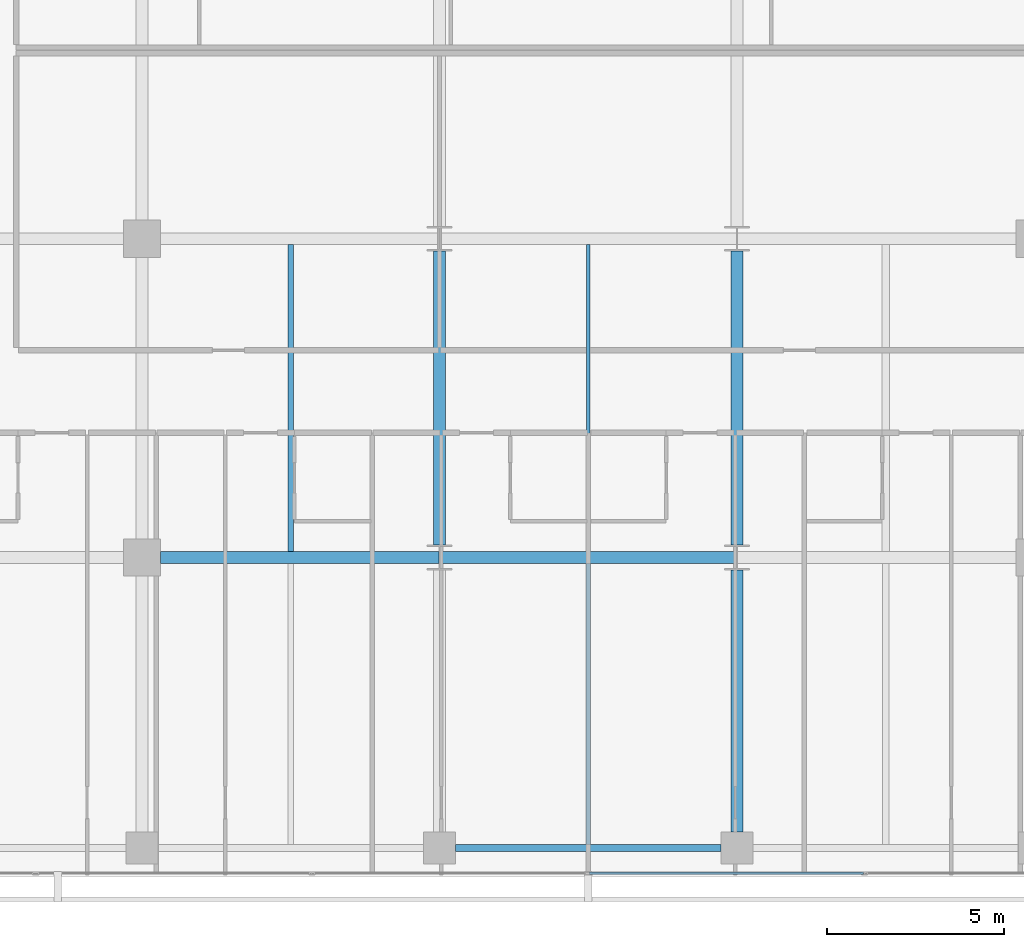
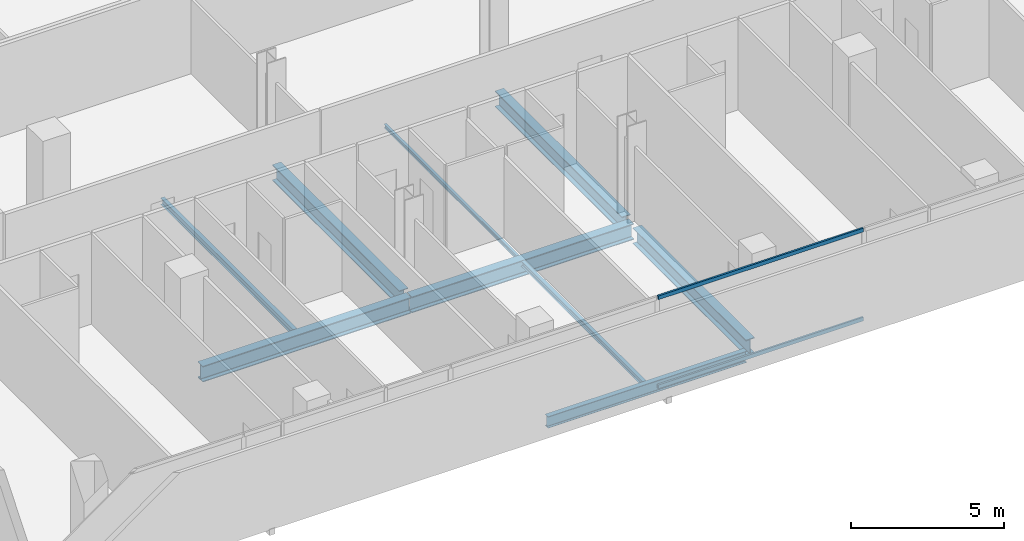
# One storey, part 9 of 40: 9 beams, 2 members, 1 element without a shape of its own.
"""IFC4 building model written with IfcOpenShell, lengths in metres."""

from ifc_helpers import new_model, si_unit, direction, frame, origin, origin_2d, place, context, subcontext, project, spatial, hollow_rectangle, i_section, extrude, material, layer, layer_set, material_profile, profile_set, type_object, element, aggregate, save


model = new_model("IFC4")

# Units and contexts
model_context = context("Model", 3, precision=1e-05, world=origin(), true_north=direction((0.0, 1.0)))
body_context = subcontext(model_context, "Body", "Model", "MODEL_VIEW")
ifc_project = project(units=[si_unit("LENGTHUNIT", "METRE"), si_unit("AREAUNIT", "SQUARE_METRE"), si_unit("VOLUMEUNIT", "CUBIC_METRE"), si_unit("PLANEANGLEUNIT", "RADIAN"), si_unit("MASSUNIT", "GRAM", prefix="KILO")], contexts=[model_context])

# Site, building, storey
site_placement = place(None, origin())
site = spatial("IfcSite", under=ifc_project, at=site_placement, CompositionType="ELEMENT")
building_placement = place(site_placement, origin())
building = spatial("IfcBuilding", under=site, at=building_placement, Name="Maruvema Waterfront Hotel and Observation Tower", CompositionType="ELEMENT")
storey_placement = place(building_placement, frame((0.0, 0.0, 30.800048828125)))
storey = spatial("IfcBuildingStorey", under=building, at=storey_placement, Name="L06", CompositionType="ELEMENT", Elevation=30.800048828125)

# Curtain wall, members
ifc_material_1 = material(Name="Anodised bronze aluminium and solar-control low-E IGU", Category="aluminium")
ifc_layer = layer(ifc_material_1, 0.159912109375, Name="Zone 1 Bronze Inner Thermal Curtain Wall System CW-02")
ifc_layer_set = layer_set([ifc_layer], Name="Anodised bronze aluminium and solar-control low-E IGU")
curtain_wall_type = type_object("IfcCurtainWallType", Name="Zone 1 Bronze Inner Thermal Curtain Wall System CW-02", PredefinedType="USERDEFINED", material=ifc_layer_set)
curtain_wall_placement = place(storey_placement, origin())
curtain_wall = element("IfcCurtainWall", 1, at=curtain_wall_placement, inside=storey, type_object=curtain_wall_type, Name="L06 Curtain Wall CW-L06-S", ObjectType="UNITISED CURTAIN WALL", PredefinedType="USERDEFINED")
ifc_material_2 = material(Name="Anodised architectural bronze aluminium", Category="aluminium")
ifc_material_profile_1 = material_profile(ifc_material_2, hollow_rectangle(XDim=0.070068359375, YDim=0.14990234375, WallThickness=0.00390625, at=origin_2d()), Name="ALU-T70x150")
ifc_profile_set_1 = profile_set([ifc_material_profile_1], Name="Anodised architectural bronze aluminium")
member_type = type_object("IfcMemberType", Name="Curtain Wall Horizontal Transom ALU-T70x150", PredefinedType="USERDEFINED", material=ifc_profile_set_1)
member_1_placement = place(storey_placement, frame((37.830078125, 0.080078125, 0.030029296875), z_axis=(1.0, 0.0, 0.0), x_axis=(0.0, 1.0, 0.0)))
member_1 = element("IfcMember", 2, at=member_1_placement, type_object=member_type, Name="CW-02 transom 4.1", ObjectType="TRANSOM", PredefinedType="USERDEFINED", context=body_context, shape_type="SweptSolid", body=[
    extrude(hollow_rectangle(XDim=0.070068359375, YDim=0.14990234375, WallThickness=0.00390625, at=origin_2d()), origin(), (0.0, 0.0, 1.0), 7.739990234375),
])
member_2_placement = place(storey_placement, frame((37.830078125, 0.080078125, 3.579833984375), z_axis=(1.0, 0.0, 0.0), x_axis=(0.0, 1.0, 0.0)))
member_2 = element("IfcMember", 3, at=member_2_placement, type_object=member_type, Name="CW-02 transom 4.2", ObjectType="TRANSOM", PredefinedType="USERDEFINED", context=body_context, shape_type="SweptSolid", body=[
    extrude(hollow_rectangle(XDim=0.070068359375, YDim=0.14990234375, WallThickness=0.00390625, at=origin_2d()), origin(), (0.0, 0.0, 1.0), 7.739990234375),
])
aggregate(curtain_wall, [member_1, member_2])

# Beams
ifc_material_3 = material(Name="Steel ASTM A572 Grade 50", Category="steel")
ifc_material_profile_2 = material_profile(ifc_material_3, i_section(OverallWidth=0.18994140625, OverallDepth=0.45703125, WebThickness=0.009033203125, FlangeThickness=0.014404296875, FilletRadius=0.014892578125, at=origin_2d()), Name="W460x74.0")
ifc_profile_set_2 = profile_set([ifc_material_profile_2], Name="Steel ASTM A572 Grade 50")
beam_type_1 = type_object("IfcBeamType", Name="Perimeter Spandrel Beam W460x74.0", PredefinedType="SPANDREL", material=ifc_profile_set_2)
beam_1_placement = place(storey_placement, frame((34.050048828125, 0.800048828125, -0.468505859375), z_axis=(1.0, 0.0, 0.0), x_axis=(0.0, 1.0, 0.0)))
element("IfcBeam", 4, at=beam_1_placement, inside=storey, type_object=beam_type_1, Name="L06 Floor Girder EW-03", PredefinedType="SPANDREL", context=body_context, shape_type="SweptSolid", body=[
    extrude(i_section(OverallWidth=0.18994140625, OverallDepth=0.45703125, WebThickness=0.009033203125, FlangeThickness=0.014404296875, FilletRadius=0.014892578125, at=origin_2d()), origin(), (0.0, 0.0, 1.0), 7.5),
])
ifc_material_4 = material(Name="Steel ASTM A572 Grade 50", Category="steel")
ifc_material_profile_3 = material_profile(ifc_material_4, i_section(OverallWidth=0.3291015625, OverallDepth=0.635009765625, WebThickness=0.017822265625, FlangeThickness=0.031005859375, FilletRadius=0.01806640625, at=origin_2d()), Name="W610x241.0")
ifc_profile_set_3 = profile_set([ifc_material_profile_3], Name="Steel ASTM A572 Grade 50")
beam_type_2 = type_object("IfcBeamType", Name="Primary Floor Girder W610x241.0", PredefinedType="BEAM", material=ifc_profile_set_3)
beam_2_placement = place(storey_placement, frame((25.72509765625, 9.0, -0.5576171875), z_axis=(1.0, 0.0, 0.0), x_axis=(0.0, 1.0, 0.0)))
element("IfcBeam", 5, at=beam_2_placement, inside=storey, type_object=beam_type_2, Name="L06 Floor Girder EW-08", PredefinedType="BEAM", context=body_context, shape_type="SweptSolid", body=[
    extrude(i_section(OverallWidth=0.3291015625, OverallDepth=0.635009765625, WebThickness=0.017822265625, FlangeThickness=0.031005859375, FilletRadius=0.01806640625, at=origin_2d()), origin(), (0.0, 0.0, 1.0), 7.86083984375),
])
beam_3_placement = place(storey_placement, frame((33.614013671875, 9.0, -0.5576171875), z_axis=(1.0, 0.0, 0.0), x_axis=(0.0, 1.0, 0.0)))
element("IfcBeam", 6, at=beam_3_placement, inside=storey, type_object=beam_type_2, Name="L06 Floor Girder EW-09", PredefinedType="BEAM", context=body_context, shape_type="SweptSolid", body=[
    extrude(i_section(OverallWidth=0.3291015625, OverallDepth=0.635009765625, WebThickness=0.017822265625, FlangeThickness=0.031005859375, FilletRadius=0.01806640625, at=origin_2d()), origin(), (0.0, 0.0, 1.0), 8.3720703125),
])
beam_4_placement = place(storey_placement, frame((33.60009765625, 9.35009765625, -0.5576171875), z_axis=(0.0, 1.0, 0.0), x_axis=(-1.0, 0.0, 0.0)))
element("IfcBeam", 7, at=beam_4_placement, inside=storey, type_object=beam_type_2, Name="L06 Floor Girder NS-17", PredefinedType="BEAM", context=body_context, shape_type="SweptSolid", body=[
    extrude(i_section(OverallWidth=0.3291015625, OverallDepth=0.635009765625, WebThickness=0.017822265625, FlangeThickness=0.031005859375, FilletRadius=0.01806640625, at=origin_2d()), origin(), (0.0, 0.0, 1.0), 8.2998046875),
])
beam_5_placement = place(storey_placement, frame((42.0, 1.25, -0.5576171875), z_axis=(0.0, 1.0, 0.0), x_axis=(-1.0, 0.0, 0.0)))
element("IfcBeam", 8, at=beam_5_placement, inside=storey, type_object=beam_type_2, Name="L06 Floor Girder NS-19", PredefinedType="BEAM", context=body_context, shape_type="SweptSolid", body=[
    extrude(i_section(OverallWidth=0.3291015625, OverallDepth=0.635009765625, WebThickness=0.017822265625, FlangeThickness=0.031005859375, FilletRadius=0.01806640625, at=origin_2d()), origin(), (0.0, 0.0, 1.0), 7.39990234375),
])
beam_6_placement = place(storey_placement, frame((42.0, 9.35009765625, -0.5576171875), z_axis=(0.0, 1.0, 0.0), x_axis=(-1.0, 0.0, 0.0)))
element("IfcBeam", 9, at=beam_6_placement, inside=storey, type_object=beam_type_2, Name="L06 Floor Girder NS-20", PredefinedType="BEAM", context=body_context, shape_type="SweptSolid", body=[
    extrude(i_section(OverallWidth=0.3291015625, OverallDepth=0.635009765625, WebThickness=0.017822265625, FlangeThickness=0.031005859375, FilletRadius=0.01806640625, at=origin_2d()), origin(), (0.0, 0.0, 1.0), 8.2998046875),
])
ifc_material_5 = material(Name="Steel ASTM A572 Grade 50", Category="steel")
ifc_material_profile_4 = material_profile(ifc_material_5, i_section(OverallWidth=0.10009765625, OverallDepth=0.153076171875, WebThickness=0.005859375, FlangeThickness=0.007080078125, FilletRadius=0.008056640625, at=origin_2d()), Name="W150x18.0")
ifc_profile_set_4 = profile_set([ifc_material_profile_4], Name="Steel ASTM A572 Grade 50")
beam_type_3 = type_object("IfcBeamType", Name="Secondary Floor Joist W150x18.0", PredefinedType="JOIST", material=ifc_profile_set_4)
beam_7_placement = place(storey_placement, frame((37.800048828125, 9.16455078125, -0.316650390625), z_axis=(0.0, 1.0, 0.0), x_axis=(-1.0, 0.0, 0.0)))
element("IfcBeam", 10, at=beam_7_placement, inside=storey, type_object=beam_type_3, Name="L06 Secondary Floor Joist JS-13", PredefinedType="JOIST", context=body_context, shape_type="SweptSolid", body=[
    extrude(i_section(OverallWidth=0.10009765625, OverallDepth=0.153076171875, WebThickness=0.005859375, FlangeThickness=0.007080078125, FilletRadius=0.008056640625, at=origin_2d()), origin(), (0.0, 0.0, 1.0), 8.6708984375),
])
ifc_material_6 = material(Name="Steel ASTM A572 Grade 50", Category="steel")
ifc_material_profile_5 = material_profile(ifc_material_6, i_section(OverallWidth=0.133056640625, OverallDepth=0.20703125, WebThickness=0.005859375, FlangeThickness=0.00830078125, FilletRadius=0.010009765625, at=origin_2d()), Name="W200x26.6")
ifc_profile_set_5 = profile_set([ifc_material_profile_5], Name="Steel ASTM A572 Grade 50")
beam_type_4 = type_object("IfcBeamType", Name="Secondary Floor Joist W200x26.6", PredefinedType="JOIST", material=ifc_profile_set_5)
beam_8_placement = place(storey_placement, frame((37.800048828125, 0.89501953125, -0.343505859375), z_axis=(0.0, 1.0, 0.0), x_axis=(-1.0, 0.0, 0.0)))
element("IfcBeam", 11, at=beam_8_placement, inside=storey, type_object=beam_type_4, Name="L06 Secondary Floor Joist JS-12", PredefinedType="JOIST", context=body_context, shape_type="SweptSolid", body=[
    extrude(i_section(OverallWidth=0.133056640625, OverallDepth=0.20703125, WebThickness=0.005859375, FlangeThickness=0.00830078125, FilletRadius=0.010009765625, at=origin_2d()), origin(), (0.0, 0.0, 1.0), 7.9404296875),
])
ifc_material_7 = material(Name="Steel ASTM A572 Grade 50", Category="steel")
ifc_material_profile_6 = material_profile(ifc_material_7, i_section(OverallWidth=0.14599609375, OverallDepth=0.258056640625, WebThickness=0.006103515625, FlangeThickness=0.009033203125, FilletRadius=0.012939453125, at=origin_2d()), Name="W250x32.7")
ifc_profile_set_6 = profile_set([ifc_material_profile_6], Name="Steel ASTM A572 Grade 50")
beam_type_5 = type_object("IfcBeamType", Name="Secondary Floor Joist W250x32.7", PredefinedType="JOIST", material=ifc_profile_set_6)
beam_9_placement = place(storey_placement, frame((29.39990234375, 9.16455078125, -0.369140625), z_axis=(0.0, 1.0, 0.0), x_axis=(-1.0, 0.0, 0.0)))
element("IfcBeam", 12, at=beam_9_placement, inside=storey, type_object=beam_type_5, Name="L06 Secondary Floor Joist JS-11", PredefinedType="JOIST", context=body_context, shape_type="SweptSolid", body=[
    extrude(i_section(OverallWidth=0.14599609375, OverallDepth=0.258056640625, WebThickness=0.006103515625, FlangeThickness=0.009033203125, FilletRadius=0.012939453125, at=origin_2d()), origin(), (0.0, 0.0, 1.0), 8.6708984375),
])

save(model, "model.ifc")
